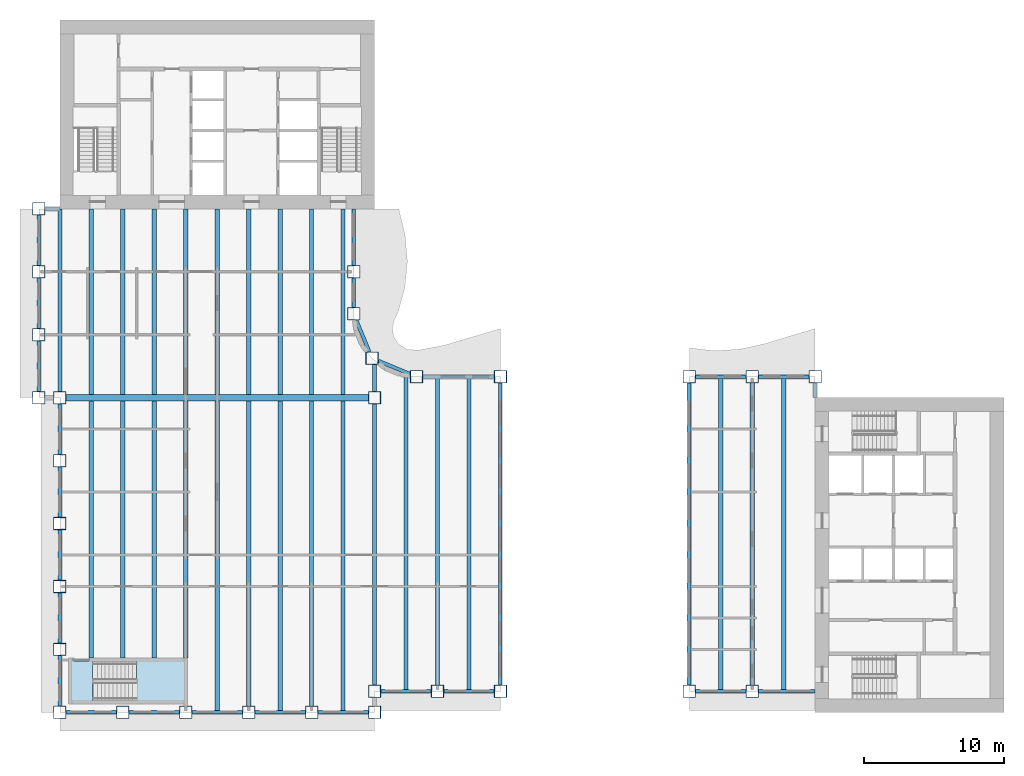
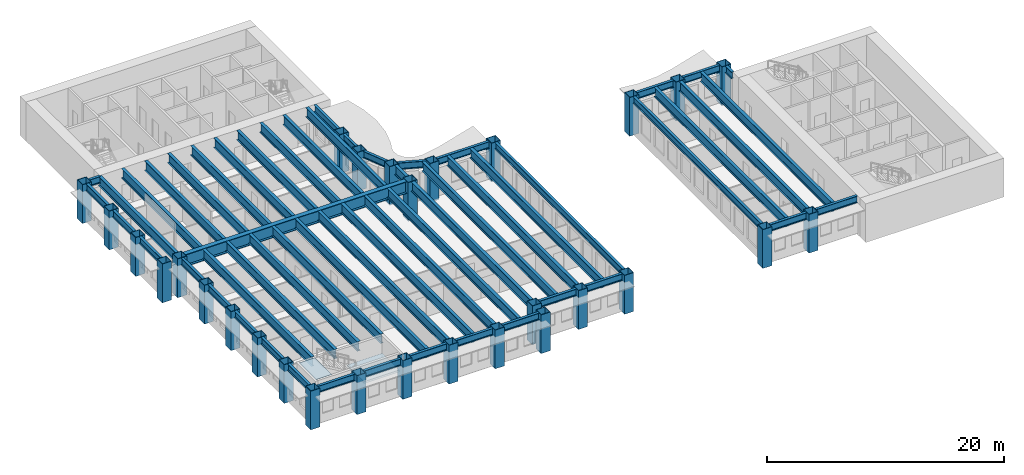
# One storey, part 1 of 13: 56 beams, 29 columns, 2 slabs, 1 element without a shape of its own.
"""IFC4 building model written with IfcOpenShell, lengths in metres."""

from ifc_helpers import new_model, si_unit, direction, frame, origin, origin_2d, place, context, subcontext, project, spatial, polyline, hollow_rectangle, i_section, outline, extrude, material, layer, layer_set, material_profile, profile_set, type_object, element, aggregate, save


model = new_model("IFC4")

# Units and contexts
model_context = context("Model", 3, precision=1e-05, world=origin(), true_north=direction((0.0, 1.0)))
body_context = subcontext(model_context, "Body", "Model", "MODEL_VIEW")
ifc_project = project(units=[si_unit("LENGTHUNIT", "METRE"), si_unit("AREAUNIT", "SQUARE_METRE"), si_unit("VOLUMEUNIT", "CUBIC_METRE"), si_unit("PLANEANGLEUNIT", "RADIAN"), si_unit("MASSUNIT", "GRAM", prefix="KILO")], contexts=[model_context])

# Site, building, storey
site_placement = place(None, origin())
site = spatial("IfcSite", under=ifc_project, at=site_placement, CompositionType="ELEMENT")
building_placement = place(site_placement, origin())
building = spatial("IfcBuilding", under=site, at=building_placement, Name="Sennacour Bend Tower", CompositionType="ELEMENT")
storey_placement = place(building_placement, frame((0.0, 0.0, 143.0)))
storey = spatial("IfcBuildingStorey", under=building, at=storey_placement, Name="L32", CompositionType="ELEMENT", Elevation=143.0)

# Columns
ifc_material_1 = material(Name="Steel ASTM A572 Grade 50", Category="steel")
ifc_material_profile_1 = material_profile(ifc_material_1, hollow_rectangle(XDim=0.89990234375, YDim=0.89990234375, WallThickness=0.044921875, at=origin_2d()), Name="Steel ASTM A572 Grade 50", Category="steel")
ifc_profile_set_1 = profile_set([ifc_material_profile_1], Name="Steel ASTM A572 Grade 50")
column_type = type_object("IfcColumnType", Name="Box column 900", PredefinedType="COLUMN", material=ifc_profile_set_1)
for number, where, z_axis, x_axis, name in (
    (1, (-1.5, 22.5, -0.14990234375), (0.0, 0.0, 1.0), (1.0, 0.0, 0.0), "Perimeter column C3 L32-001"),
    (2, (-1.5, 27.0, -0.14990234375), (0.0, 0.0, 1.0), (1.0, 0.0, 0.0), "Perimeter column C3 L32-002"),
    (3, (-1.5, 31.5, -0.14990234375), (0.0, 0.0, 1.0), (1.0, 0.0, 0.0), "Perimeter column C3 L32-003"),
    (4, (-1.5, 36.0, -0.14990234375), (0.0, 0.0, 1.0), (1.0, 0.0, 0.0), "Perimeter column C3 L32-004"),
    (5, (0.0, 0.0, -0.14990234375), (0.0, 0.0, 1.0), (1.0, 0.0, 0.0), "Perimeter column C3 L32-005"),
    (6, (0.0, 4.5, -0.14990234375), (0.0, 0.0, 1.0), (1.0, 0.0, 0.0), "Perimeter column C3 L32-006"),
    (7, (0.0, 9.0, -0.14990234375), (0.0, 0.0, 1.0), (1.0, 0.0, 0.0), "Perimeter column C3 L32-007"),
    (8, (0.0, 13.5, -0.14990234375), (0.0, 0.0, 1.0), (1.0, 0.0, 0.0), "Perimeter column C3 L32-008"),
    (9, (0.0, 18.0, -0.14990234375), (0.0, 0.0, 1.0), (1.0, 0.0, 0.0), "Perimeter column C3 L32-009"),
    (10, (0.0, 22.5, -0.14990234375), (0.0, 0.0, 1.0), (1.0, 0.0, 0.0), "Perimeter column C3 L32-010"),
    (11, (4.5, 0.0, -0.14990234375), (0.0, 0.0, 1.0), (1.0, 0.0, 0.0), "Perimeter column C3 L32-011"),
    (12, (9.0, 0.0, -0.14990234375), (0.0, 0.0, 1.0), (1.0, 0.0, 0.0), "Perimeter column C3 L32-012"),
    (13, (13.5, 0.0, -0.14990234375), (0.0, 0.0, 1.0), (1.0, 0.0, 0.0), "Perimeter column C3 L32-013"),
    (14, (18.0, 0.0, -0.14990234375), (0.0, 0.0, 1.0), (1.0, 0.0, 0.0), "Perimeter column C3 L32-014"),
    (15, (21.0, 28.5, -0.14990234375), (0.0, 0.0, 1.0), (1.0, 0.0, 0.0), "Perimeter column C3 L32-015"),
    (16, (21.0, 31.5, -0.14990234375), (0.0, 0.0, 1.0), (1.0, 0.0, 0.0), "Perimeter column C3 L32-016"),
    (17, (22.318115234375, 25.318115234375, -0.14990234375), (0.0, 0.0, 1.0), (1.0, 0.0, 0.0), "Perimeter column C3 L32-017"),
    (18, (22.5, 0.0, -0.14990234375), (0.0, 0.0, 1.0), (1.0, 0.0, 0.0), "Perimeter column C3 L32-018"),
    (19, (22.5, 1.5, -0.14990234375), (0.0, 0.0, 1.0), (1.0, 0.0, 0.0), "Perimeter column C3 L32-019"),
    (20, (22.5, 22.5, -0.14990234375), (0.0, 0.0, 1.0), (1.0, 0.0, 0.0), "Knuckle column C3 L32-020"),
    (21, (25.5, 24.0, -0.14990234375), (0.0, 0.0, 1.0), (1.0, 0.0, 0.0), "Perimeter column C3 L32-021"),
    (22, (27.0, 1.5, -0.14990234375), (0.0, 0.0, 1.0), (1.0, 0.0, 0.0), "Perimeter column C3 L32-022"),
    (23, (31.5, 1.5, -0.14990234375), (0.0, 0.0, 1.0), (1.0, 0.0, 0.0), "Perimeter column C3 L32-023"),
    (24, (31.5, 24.0, -0.14990234375), (0.0, 0.0, 1.0), (1.0, 0.0, 0.0), "Perimeter column C3 L32-024"),
    (25, (45.0, 1.5, -0.14990234375), (0.0, 0.0, 1.0), (1.0, 0.0, 0.0), "Perimeter column C3 L32-025"),
    (26, (45.0, 24.0, -0.14990234375), (0.0, 0.0, 1.0), (1.0, 0.0, 0.0), "Perimeter column C3 L32-026"),
    (27, (49.5, 1.5, -0.14990234375), (0.0, 0.0, 1.0), (1.0, 0.0, 0.0), "Perimeter column C3 L32-027"),
    (28, (49.5, 24.0, -0.14990234375), (0.0, 0.0, 1.0), (1.0, 0.0, 0.0), "Perimeter column C3 L32-028"),
    (29, (54.0, 24.0, -0.14990234375), (0.0, 0.0, 1.0), (1.0, 0.0, 0.0), "Perimeter column C3 L32-029"),
):
    element("IfcColumn", number, at=place(storey_placement, frame(where, z_axis=z_axis, x_axis=x_axis)), inside=storey, type_object=column_type, Name=name, PredefinedType="COLUMN", context=body_context, shape_type="SweptSolid", body=[
        extrude(hollow_rectangle(XDim=0.89990234375, YDim=0.89990234375, WallThickness=0.044921875, at=origin_2d()), origin(), (0.0, 0.0, 1.0), 4.0),
    ])

# Beams
ifc_material_2 = material(Name="Steel ASTM A992 Grade 50", Category="steel")
ifc_material_profile_2 = material_profile(ifc_material_2, i_section(OverallWidth=0.300048828125, OverallDepth=0.97998046875, WebThickness=0.0166015625, FlangeThickness=0.026123046875, FilletRadius=0.02978515625, at=origin_2d()), Name="Steel ASTM A992 Grade 50", Category="steel")
ifc_profile_set_2 = profile_set([ifc_material_profile_2], Name="Steel ASTM A992 Grade 50")
beam_type_1 = type_object("IfcBeamType", Name="Floor beam W1000X249", PredefinedType="BEAM", material=ifc_profile_set_2)
beam_1_placement = place(storey_placement, frame((0.0, 22.949951171875, 3.360107421875), z_axis=(0.0, 1.0, 0.0), x_axis=(-1.0, 0.0, 0.0)))
element("IfcBeam", 30, at=beam_1_placement, inside=storey, type_object=beam_type_1, Name="Floor beam FBM2 L33-001", PredefinedType="BEAM", context=body_context, shape_type="SweptSolid", body=[
    extrude(i_section(OverallWidth=0.300048828125, OverallDepth=0.97998046875, WebThickness=0.0166015625, FlangeThickness=0.026123046875, FilletRadius=0.02978515625, at=origin_2d()), origin(), (0.0, 0.0, 1.0), 13.050048828125),
])
beam_2_placement = place(storey_placement, frame((2.25, 3.875, 3.360107421875), z_axis=(0.0, 1.0, 0.0), x_axis=(-1.0, 0.0, 0.0)))
element("IfcBeam", 31, at=beam_2_placement, inside=storey, type_object=beam_type_1, Name="Floor beam FBM2 L33-002", PredefinedType="BEAM", context=body_context, shape_type="SweptSolid", body=[
    extrude(i_section(OverallWidth=0.300048828125, OverallDepth=0.97998046875, WebThickness=0.0166015625, FlangeThickness=0.026123046875, FilletRadius=0.02978515625, at=origin_2d()), origin(), (0.0, 0.0, 1.0), 18.39990234375),
])
beam_3_placement = place(storey_placement, frame((2.25, 22.72509765625, 3.360107421875), z_axis=(0.0, 1.0, 0.0), x_axis=(-1.0, 0.0, 0.0)))
element("IfcBeam", 32, at=beam_3_placement, inside=storey, type_object=beam_type_1, Name="Floor beam FBM2 L33-003", PredefinedType="BEAM", context=body_context, shape_type="SweptSolid", body=[
    extrude(i_section(OverallWidth=0.300048828125, OverallDepth=0.97998046875, WebThickness=0.0166015625, FlangeThickness=0.026123046875, FilletRadius=0.02978515625, at=origin_2d()), origin(), (0.0, 0.0, 1.0), 13.27490234375),
])
beam_4_placement = place(storey_placement, frame((4.5, 3.875, 3.360107421875), z_axis=(0.0, 1.0, 0.0), x_axis=(-1.0, 0.0, 0.0)))
element("IfcBeam", 33, at=beam_4_placement, inside=storey, type_object=beam_type_1, Name="Floor beam FBM2 L33-004", PredefinedType="BEAM", context=body_context, shape_type="SweptSolid", body=[
    extrude(i_section(OverallWidth=0.300048828125, OverallDepth=0.97998046875, WebThickness=0.0166015625, FlangeThickness=0.026123046875, FilletRadius=0.02978515625, at=origin_2d()), origin(), (0.0, 0.0, 1.0), 18.39990234375),
])
beam_5_placement = place(storey_placement, frame((4.5, 22.72509765625, 3.360107421875), z_axis=(0.0, 1.0, 0.0), x_axis=(-1.0, 0.0, 0.0)))
element("IfcBeam", 34, at=beam_5_placement, inside=storey, type_object=beam_type_1, Name="Floor beam FBM2 L33-005", PredefinedType="BEAM", context=body_context, shape_type="SweptSolid", body=[
    extrude(i_section(OverallWidth=0.300048828125, OverallDepth=0.97998046875, WebThickness=0.0166015625, FlangeThickness=0.026123046875, FilletRadius=0.02978515625, at=origin_2d()), origin(), (0.0, 0.0, 1.0), 13.27490234375),
])
beam_6_placement = place(storey_placement, frame((6.75, 3.875, 3.360107421875), z_axis=(0.0, 1.0, 0.0), x_axis=(-1.0, 0.0, 0.0)))
element("IfcBeam", 35, at=beam_6_placement, inside=storey, type_object=beam_type_1, Name="Floor beam FBM2 L33-006", PredefinedType="BEAM", context=body_context, shape_type="SweptSolid", body=[
    extrude(i_section(OverallWidth=0.300048828125, OverallDepth=0.97998046875, WebThickness=0.0166015625, FlangeThickness=0.026123046875, FilletRadius=0.02978515625, at=origin_2d()), origin(), (0.0, 0.0, 1.0), 18.39990234375),
])
beam_7_placement = place(storey_placement, frame((6.75, 22.72509765625, 3.360107421875), z_axis=(0.0, 1.0, 0.0), x_axis=(-1.0, 0.0, 0.0)))
element("IfcBeam", 36, at=beam_7_placement, inside=storey, type_object=beam_type_1, Name="Floor beam FBM2 L33-007", PredefinedType="BEAM", context=body_context, shape_type="SweptSolid", body=[
    extrude(i_section(OverallWidth=0.300048828125, OverallDepth=0.97998046875, WebThickness=0.0166015625, FlangeThickness=0.026123046875, FilletRadius=0.02978515625, at=origin_2d()), origin(), (0.0, 0.0, 1.0), 13.27490234375),
])
beam_8_placement = place(storey_placement, frame((9.0, 3.875, 3.360107421875), z_axis=(0.0, 1.0, 0.0), x_axis=(-1.0, 0.0, 0.0)))
element("IfcBeam", 37, at=beam_8_placement, inside=storey, type_object=beam_type_1, Name="Floor beam FBM2 L33-008", PredefinedType="BEAM", context=body_context, shape_type="SweptSolid", body=[
    extrude(i_section(OverallWidth=0.300048828125, OverallDepth=0.97998046875, WebThickness=0.0166015625, FlangeThickness=0.026123046875, FilletRadius=0.02978515625, at=origin_2d()), origin(), (0.0, 0.0, 1.0), 18.39990234375),
])
beam_9_placement = place(storey_placement, frame((9.0, 22.72509765625, 3.360107421875), z_axis=(0.0, 1.0, 0.0), x_axis=(-1.0, 0.0, 0.0)))
element("IfcBeam", 38, at=beam_9_placement, inside=storey, type_object=beam_type_1, Name="Floor beam FBM2 L33-009", PredefinedType="BEAM", context=body_context, shape_type="SweptSolid", body=[
    extrude(i_section(OverallWidth=0.300048828125, OverallDepth=0.97998046875, WebThickness=0.0166015625, FlangeThickness=0.026123046875, FilletRadius=0.02978515625, at=origin_2d()), origin(), (0.0, 0.0, 1.0), 13.27490234375),
])
beam_10_placement = place(storey_placement, frame((11.25, 0.126953125, 3.360107421875), z_axis=(0.0, 1.0, 0.0), x_axis=(-1.0, 0.0, 0.0)))
element("IfcBeam", 39, at=beam_10_placement, inside=storey, type_object=beam_type_1, Name="Floor beam FBM2 L33-010", PredefinedType="BEAM", context=body_context, shape_type="SweptSolid", body=[
    extrude(i_section(OverallWidth=0.300048828125, OverallDepth=0.97998046875, WebThickness=0.0166015625, FlangeThickness=0.026123046875, FilletRadius=0.02978515625, at=origin_2d()), origin(), (0.0, 0.0, 1.0), 22.14794921875),
])
beam_11_placement = place(storey_placement, frame((11.25, 22.72509765625, 3.360107421875), z_axis=(0.0, 1.0, 0.0), x_axis=(-1.0, 0.0, 0.0)))
element("IfcBeam", 40, at=beam_11_placement, inside=storey, type_object=beam_type_1, Name="Floor beam FBM2 L33-011", PredefinedType="BEAM", context=body_context, shape_type="SweptSolid", body=[
    extrude(i_section(OverallWidth=0.300048828125, OverallDepth=0.97998046875, WebThickness=0.0166015625, FlangeThickness=0.026123046875, FilletRadius=0.02978515625, at=origin_2d()), origin(), (0.0, 0.0, 1.0), 13.27490234375),
])
beam_12_placement = place(storey_placement, frame((13.5, 0.449951171875, 3.360107421875), z_axis=(0.0, 1.0, 0.0), x_axis=(-1.0, 0.0, 0.0)))
element("IfcBeam", 41, at=beam_12_placement, inside=storey, type_object=beam_type_1, Name="Floor beam FBM2 L33-012", PredefinedType="BEAM", context=body_context, shape_type="SweptSolid", body=[
    extrude(i_section(OverallWidth=0.300048828125, OverallDepth=0.97998046875, WebThickness=0.0166015625, FlangeThickness=0.026123046875, FilletRadius=0.02978515625, at=origin_2d()), origin(), (0.0, 0.0, 1.0), 21.824951171875),
])
beam_13_placement = place(storey_placement, frame((13.5, 22.72509765625, 3.360107421875), z_axis=(0.0, 1.0, 0.0), x_axis=(-1.0, 0.0, 0.0)))
element("IfcBeam", 42, at=beam_13_placement, inside=storey, type_object=beam_type_1, Name="Floor beam FBM2 L33-013", PredefinedType="BEAM", context=body_context, shape_type="SweptSolid", body=[
    extrude(i_section(OverallWidth=0.300048828125, OverallDepth=0.97998046875, WebThickness=0.0166015625, FlangeThickness=0.026123046875, FilletRadius=0.02978515625, at=origin_2d()), origin(), (0.0, 0.0, 1.0), 13.27490234375),
])
beam_14_placement = place(storey_placement, frame((15.75, 0.126953125, 3.360107421875), z_axis=(0.0, 1.0, 0.0), x_axis=(-1.0, 0.0, 0.0)))
element("IfcBeam", 43, at=beam_14_placement, inside=storey, type_object=beam_type_1, Name="Floor beam FBM2 L33-014", PredefinedType="BEAM", context=body_context, shape_type="SweptSolid", body=[
    extrude(i_section(OverallWidth=0.300048828125, OverallDepth=0.97998046875, WebThickness=0.0166015625, FlangeThickness=0.026123046875, FilletRadius=0.02978515625, at=origin_2d()), origin(), (0.0, 0.0, 1.0), 22.14794921875),
])
beam_15_placement = place(storey_placement, frame((15.75, 22.72509765625, 3.360107421875), z_axis=(0.0, 1.0, 0.0), x_axis=(-1.0, 0.0, 0.0)))
element("IfcBeam", 44, at=beam_15_placement, inside=storey, type_object=beam_type_1, Name="Floor beam FBM2 L33-015", PredefinedType="BEAM", context=body_context, shape_type="SweptSolid", body=[
    extrude(i_section(OverallWidth=0.300048828125, OverallDepth=0.97998046875, WebThickness=0.0166015625, FlangeThickness=0.026123046875, FilletRadius=0.02978515625, at=origin_2d()), origin(), (0.0, 0.0, 1.0), 13.27490234375),
])
beam_16_placement = place(storey_placement, frame((18.0, 0.449951171875, 3.360107421875), z_axis=(0.0, 1.0, 0.0), x_axis=(-1.0, 0.0, 0.0)))
element("IfcBeam", 45, at=beam_16_placement, inside=storey, type_object=beam_type_1, Name="Floor beam FBM2 L33-016", PredefinedType="BEAM", context=body_context, shape_type="SweptSolid", body=[
    extrude(i_section(OverallWidth=0.300048828125, OverallDepth=0.97998046875, WebThickness=0.0166015625, FlangeThickness=0.026123046875, FilletRadius=0.02978515625, at=origin_2d()), origin(), (0.0, 0.0, 1.0), 21.824951171875),
])
beam_17_placement = place(storey_placement, frame((18.0, 22.72509765625, 3.360107421875), z_axis=(0.0, 1.0, 0.0), x_axis=(-1.0, 0.0, 0.0)))
element("IfcBeam", 46, at=beam_17_placement, inside=storey, type_object=beam_type_1, Name="Floor beam FBM2 L33-017", PredefinedType="BEAM", context=body_context, shape_type="SweptSolid", body=[
    extrude(i_section(OverallWidth=0.300048828125, OverallDepth=0.97998046875, WebThickness=0.0166015625, FlangeThickness=0.026123046875, FilletRadius=0.02978515625, at=origin_2d()), origin(), (0.0, 0.0, 1.0), 13.27490234375),
])
beam_18_placement = place(storey_placement, frame((20.25, 0.126953125, 3.360107421875), z_axis=(0.0, 1.0, 0.0), x_axis=(-1.0, 0.0, 0.0)))
element("IfcBeam", 47, at=beam_18_placement, inside=storey, type_object=beam_type_1, Name="Floor beam FBM2 L33-018", PredefinedType="BEAM", context=body_context, shape_type="SweptSolid", body=[
    extrude(i_section(OverallWidth=0.300048828125, OverallDepth=0.97998046875, WebThickness=0.0166015625, FlangeThickness=0.026123046875, FilletRadius=0.02978515625, at=origin_2d()), origin(), (0.0, 0.0, 1.0), 22.14794921875),
])
beam_19_placement = place(storey_placement, frame((20.25, 22.72509765625, 3.360107421875), z_axis=(0.0, 1.0, 0.0), x_axis=(-1.0, 0.0, 0.0)))
element("IfcBeam", 48, at=beam_19_placement, inside=storey, type_object=beam_type_1, Name="Floor beam FBM2 L33-019", PredefinedType="BEAM", context=body_context, shape_type="SweptSolid", body=[
    extrude(i_section(OverallWidth=0.300048828125, OverallDepth=0.97998046875, WebThickness=0.0166015625, FlangeThickness=0.026123046875, FilletRadius=0.02978515625, at=origin_2d()), origin(), (0.0, 0.0, 1.0), 13.27490234375),
])
beam_20_placement = place(storey_placement, frame((22.5, 1.949951171875, 3.360107421875), z_axis=(0.0, 1.0, 0.0), x_axis=(-1.0, 0.0, 0.0)))
element("IfcBeam", 49, at=beam_20_placement, inside=storey, type_object=beam_type_1, Name="Floor beam FBM2 L33-020", PredefinedType="BEAM", context=body_context, shape_type="SweptSolid", body=[
    extrude(i_section(OverallWidth=0.300048828125, OverallDepth=0.97998046875, WebThickness=0.0166015625, FlangeThickness=0.026123046875, FilletRadius=0.02978515625, at=origin_2d()), origin(), (0.0, 0.0, 1.0), 20.10009765625),
])
beam_21_placement = place(storey_placement, frame((22.5, 22.949951171875, 3.360107421875), z_axis=(0.0, 1.0, 0.0), x_axis=(-1.0, 0.0, 0.0)))
element("IfcBeam", 50, at=beam_21_placement, inside=storey, type_object=beam_type_1, Name="Floor beam FBM2 L33-021", PredefinedType="BEAM", context=body_context, shape_type="SweptSolid", body=[
    extrude(i_section(OverallWidth=0.300048828125, OverallDepth=0.97998046875, WebThickness=0.0166015625, FlangeThickness=0.026123046875, FilletRadius=0.02978515625, at=origin_2d()), origin(), (0.0, 0.0, 1.0), 1.91796875),
])
beam_22_placement = place(storey_placement, frame((24.75, 1.626953125, 3.360107421875), z_axis=(0.0, 1.0, 0.0), x_axis=(-1.0, 0.0, 0.0)))
element("IfcBeam", 51, at=beam_22_placement, inside=storey, type_object=beam_type_1, Name="Floor beam FBM2 L33-022", PredefinedType="BEAM", context=body_context, shape_type="SweptSolid", body=[
    extrude(i_section(OverallWidth=0.300048828125, OverallDepth=0.97998046875, WebThickness=0.0166015625, FlangeThickness=0.026123046875, FilletRadius=0.02978515625, at=origin_2d()), origin(), (0.0, 0.0, 1.0), 22.546142578125),
])
beam_23_placement = place(storey_placement, frame((27.0, 1.949951171875, 3.360107421875), z_axis=(0.0, 1.0, 0.0), x_axis=(-1.0, 0.0, 0.0)))
element("IfcBeam", 52, at=beam_23_placement, inside=storey, type_object=beam_type_1, Name="Floor beam FBM2 L33-023", PredefinedType="BEAM", context=body_context, shape_type="SweptSolid", body=[
    extrude(i_section(OverallWidth=0.300048828125, OverallDepth=0.97998046875, WebThickness=0.0166015625, FlangeThickness=0.026123046875, FilletRadius=0.02978515625, at=origin_2d()), origin(), (0.0, 0.0, 1.0), 21.923095703125),
])
for number, where, z_axis, x_axis, name in (
    (53, (29.25, 1.626953125, 3.360107421875), (0.0, 1.0, 0.0), (-1.0, 0.0, 0.0), "Floor beam FBM2 L33-024"),
    (54, (47.25, 1.626953125, 3.360107421875), (0.0, 1.0, 0.0), (-1.0, 0.0, 0.0), "Floor beam FBM2 L33-025"),
):
    element("IfcBeam", number, at=place(storey_placement, frame(where, z_axis=z_axis, x_axis=x_axis)), inside=storey, type_object=beam_type_1, Name=name, PredefinedType="BEAM", context=body_context, shape_type="SweptSolid", body=[
        extrude(i_section(OverallWidth=0.300048828125, OverallDepth=0.97998046875, WebThickness=0.0166015625, FlangeThickness=0.026123046875, FilletRadius=0.02978515625, at=origin_2d()), origin(), (0.0, 0.0, 1.0), 22.24609375),
    ])
beam_24_placement = place(storey_placement, frame((49.5, 1.949951171875, 3.360107421875), z_axis=(0.0, 1.0, 0.0), x_axis=(-1.0, 0.0, 0.0)))
element("IfcBeam", 55, at=beam_24_placement, inside=storey, type_object=beam_type_1, Name="Floor beam FBM2 L33-026", PredefinedType="BEAM", context=body_context, shape_type="SweptSolid", body=[
    extrude(i_section(OverallWidth=0.300048828125, OverallDepth=0.97998046875, WebThickness=0.0166015625, FlangeThickness=0.026123046875, FilletRadius=0.02978515625, at=origin_2d()), origin(), (0.0, 0.0, 1.0), 21.60009765625),
])
beam_25_placement = place(storey_placement, frame((51.75, 1.626953125, 3.360107421875), z_axis=(0.0, 1.0, 0.0), x_axis=(-1.0, 0.0, 0.0)))
element("IfcBeam", 56, at=beam_25_placement, inside=storey, type_object=beam_type_1, Name="Floor beam FBM2 L33-027", PredefinedType="BEAM", context=body_context, shape_type="SweptSolid", body=[
    extrude(i_section(OverallWidth=0.300048828125, OverallDepth=0.97998046875, WebThickness=0.0166015625, FlangeThickness=0.026123046875, FilletRadius=0.02978515625, at=origin_2d()), origin(), (0.0, 0.0, 1.0), 22.24609375),
])
ifc_material_profile_3 = material_profile(ifc_material_1, i_section(OverallWidth=0.449951171875, OverallDepth=1.25, WebThickness=0.028076171875, FlangeThickness=0.050048828125, at=origin_2d()), Name="Steel ASTM A572 Grade 50", Category="steel")
ifc_profile_set_3 = profile_set([ifc_material_profile_3], Name="Steel ASTM A572 Grade 50")
beam_type_2 = type_object("IfcBeamType", Name="Knuckle girder 1250", PredefinedType="USERDEFINED", material=ifc_profile_set_3)
beam_26_placement = place(storey_placement, frame((0.449951171875, 22.5, 3.22509765625), z_axis=(1.0, 0.0, 0.0), x_axis=(0.0, 1.0, 0.0)))
element("IfcBeam", 57, at=beam_26_placement, inside=storey, type_object=beam_type_2, Name="Knuckle girder GK L33-001", ObjectType="KNUCKLE GIRDER", PredefinedType="USERDEFINED", context=body_context, shape_type="SweptSolid", body=[
    extrude(i_section(OverallWidth=0.449951171875, OverallDepth=1.25, WebThickness=0.028076171875, FlangeThickness=0.050048828125, at=origin_2d()), origin(), (0.0, 0.0, 1.0), 21.60009765625),
])
ifc_material_profile_4 = material_profile(ifc_material_2, i_section(OverallWidth=0.25390625, OverallDepth=0.700927734375, WebThickness=0.015380859375, FlangeThickness=0.02783203125, FilletRadius=0.015380859375, at=origin_2d()), Name="Steel ASTM A992 Grade 50", Category="steel")
ifc_profile_set_4 = profile_set([ifc_material_profile_4], Name="Steel ASTM A992 Grade 50")
beam_type_3 = type_object("IfcBeamType", Name="Spandrel beam W690X192", PredefinedType="SPANDREL", material=ifc_profile_set_4)
beam_27_placement = place(storey_placement, frame((45.0, 1.949951171875, 3.49951171875), z_axis=(0.0, 1.0, 0.0), x_axis=(-1.0, 0.0, 0.0)))
element("IfcBeam", 58, at=beam_27_placement, inside=storey, type_object=beam_type_3, Name="Spandrel beam SP4 L33-001", PredefinedType="SPANDREL", context=body_context, shape_type="SweptSolid", body=[
    extrude(i_section(OverallWidth=0.25390625, OverallDepth=0.700927734375, WebThickness=0.015380859375, FlangeThickness=0.02783203125, FilletRadius=0.015380859375, at=origin_2d()), origin(), (0.0, 0.0, 1.0), 21.60009765625),
])
for number, where, z_axis, x_axis, name in (
    (59, (45.449951171875, 24.0, 3.49951171875), (1.0, 0.0, 0.0), (0.0, 1.0, 0.0), "Spandrel beam SP4 L33-002"),
    (60, (49.949951171875, 24.0, 3.49951171875), (1.0, 0.0, 0.0), (0.0, 1.0, 0.0), "Spandrel beam SP4 L33-003"),
):
    element("IfcBeam", number, at=place(storey_placement, frame(where, z_axis=z_axis, x_axis=x_axis)), inside=storey, type_object=beam_type_3, Name=name, PredefinedType="SPANDREL", context=body_context, shape_type="SweptSolid", body=[
        extrude(i_section(OverallWidth=0.25390625, OverallDepth=0.700927734375, WebThickness=0.015380859375, FlangeThickness=0.02783203125, FilletRadius=0.015380859375, at=origin_2d()), origin(), (0.0, 0.0, 1.0), 3.60009765625),
    ])
beam_28_placement = place(storey_placement, frame((54.0, 23.550048828125, 3.49951171875), z_axis=(0.0, -1.0, 0.0), x_axis=(1.0, 0.0, 0.0)))
element("IfcBeam", 61, at=beam_28_placement, inside=storey, type_object=beam_type_3, Name="Spandrel beam SP4 L33-004", PredefinedType="SPANDREL", context=body_context, shape_type="SweptSolid", body=[
    extrude(i_section(OverallWidth=0.25390625, OverallDepth=0.700927734375, WebThickness=0.015380859375, FlangeThickness=0.02783203125, FilletRadius=0.015380859375, at=origin_2d()), origin(), (0.0, 0.0, 1.0), 1.050048828125),
])
beam_29_placement = place(storey_placement, frame((54.0, 1.5, 3.49951171875), z_axis=(-1.0, 0.0, 0.0), x_axis=(0.0, -1.0, 0.0)))
element("IfcBeam", 62, at=beam_29_placement, inside=storey, type_object=beam_type_3, Name="Spandrel beam SP4 L33-005", PredefinedType="SPANDREL", context=body_context, shape_type="SweptSolid", body=[
    extrude(i_section(OverallWidth=0.25390625, OverallDepth=0.700927734375, WebThickness=0.015380859375, FlangeThickness=0.02783203125, FilletRadius=0.015380859375, at=origin_2d()), origin(), (0.0, 0.0, 1.0), 4.050048828125),
])
beam_30_placement = place(storey_placement, frame((49.050048828125, 1.5, 3.49951171875), z_axis=(-1.0, 0.0, 0.0), x_axis=(0.0, -1.0, 0.0)))
element("IfcBeam", 63, at=beam_30_placement, inside=storey, type_object=beam_type_3, Name="Spandrel beam SP4 L33-006", PredefinedType="SPANDREL", context=body_context, shape_type="SweptSolid", body=[
    extrude(i_section(OverallWidth=0.25390625, OverallDepth=0.700927734375, WebThickness=0.015380859375, FlangeThickness=0.02783203125, FilletRadius=0.015380859375, at=origin_2d()), origin(), (0.0, 0.0, 1.0), 3.60009765625),
])
beam_31_placement = place(storey_placement, frame((31.5, 23.550048828125, 3.49951171875), z_axis=(0.0, -1.0, 0.0), x_axis=(1.0, 0.0, 0.0)))
element("IfcBeam", 64, at=beam_31_placement, inside=storey, type_object=beam_type_3, Name="Spandrel beam SP4 L33-007", PredefinedType="SPANDREL", context=body_context, shape_type="SweptSolid", body=[
    extrude(i_section(OverallWidth=0.25390625, OverallDepth=0.700927734375, WebThickness=0.015380859375, FlangeThickness=0.02783203125, FilletRadius=0.015380859375, at=origin_2d()), origin(), (0.0, 0.0, 1.0), 21.60009765625),
])
for number, where, z_axis, x_axis, name in (
    (65, (31.050048828125, 1.5, 3.49951171875), (-1.0, 0.0, 0.0), (0.0, -1.0, 0.0), "Spandrel beam SP4 L33-008"),
    (66, (26.550048828125, 1.5, 3.49951171875), (-1.0, 0.0, 0.0), (0.0, -1.0, 0.0), "Spandrel beam SP4 L33-009"),
    (67, (22.050048828125, 0.0, 3.49951171875), (-1.0, 0.0, 0.0), (0.0, -1.0, 0.0), "Spandrel beam SP4 L33-010"),
    (68, (17.550048828125, 0.0, 3.49951171875), (-1.0, 0.0, 0.0), (0.0, -1.0, 0.0), "Spandrel beam SP4 L33-011"),
    (69, (13.050048828125, 0.0, 3.49951171875), (-1.0, 0.0, 0.0), (0.0, -1.0, 0.0), "Spandrel beam SP4 L33-012"),
    (70, (8.550048828125, 0.0, 3.49951171875), (-1.0, 0.0, 0.0), (0.0, -1.0, 0.0), "Spandrel beam SP4 L33-013"),
    (71, (4.050048828125, 0.0, 3.49951171875), (-1.0, 0.0, 0.0), (0.0, -1.0, 0.0), "Spandrel beam SP4 L33-014"),
    (72, (0.0, 0.449951171875, 3.49951171875), (0.0, 1.0, 0.0), (-1.0, 0.0, 0.0), "Spandrel beam SP4 L33-015"),
    (73, (0.0, 4.949951171875, 3.49951171875), (0.0, 1.0, 0.0), (-1.0, 0.0, 0.0), "Spandrel beam SP4 L33-016"),
    (74, (0.0, 9.449951171875, 3.49951171875), (0.0, 1.0, 0.0), (-1.0, 0.0, 0.0), "Spandrel beam SP4 L33-017"),
    (75, (0.0, 13.949951171875, 3.49951171875), (0.0, 1.0, 0.0), (-1.0, 0.0, 0.0), "Spandrel beam SP4 L33-018"),
    (76, (0.0, 18.449951171875, 3.49951171875), (0.0, 1.0, 0.0), (-1.0, 0.0, 0.0), "Spandrel beam SP4 L33-019"),
    (77, (-1.5, 22.949951171875, 3.49951171875), (0.0, 1.0, 0.0), (-1.0, 0.0, 0.0), "Spandrel beam SP4 L33-020"),
    (78, (-1.5, 27.449951171875, 3.49951171875), (0.0, 1.0, 0.0), (-1.0, 0.0, 0.0), "Spandrel beam SP4 L33-021"),
    (79, (-1.5, 31.949951171875, 3.49951171875), (0.0, 1.0, 0.0), (-1.0, 0.0, 0.0), "Spandrel beam SP4 L33-022"),
):
    element("IfcBeam", number, at=place(storey_placement, frame(where, z_axis=z_axis, x_axis=x_axis)), inside=storey, type_object=beam_type_3, Name=name, PredefinedType="SPANDREL", context=body_context, shape_type="SweptSolid", body=[
        extrude(i_section(OverallWidth=0.25390625, OverallDepth=0.700927734375, WebThickness=0.015380859375, FlangeThickness=0.02783203125, FilletRadius=0.015380859375, at=origin_2d()), origin(), (0.0, 0.0, 1.0), 3.60009765625),
    ])
beam_32_placement = place(storey_placement, frame((-1.050048828125, 36.0, 3.49951171875), z_axis=(1.0, 0.0, 0.0), x_axis=(0.0, 1.0, 0.0)))
element("IfcBeam", 80, at=beam_32_placement, inside=storey, type_object=beam_type_3, Name="Spandrel beam SP4 L33-023", PredefinedType="SPANDREL", context=body_context, shape_type="SweptSolid", body=[
    extrude(i_section(OverallWidth=0.25390625, OverallDepth=0.700927734375, WebThickness=0.015380859375, FlangeThickness=0.02783203125, FilletRadius=0.015380859375, at=origin_2d()), origin(), (0.0, 0.0, 1.0), 1.050048828125),
])
beam_33_placement = place(storey_placement, frame((21.0, 36.0, 3.49951171875), z_axis=(0.0, -1.0, 0.0), x_axis=(1.0, 0.0, 0.0)))
element("IfcBeam", 81, at=beam_33_placement, inside=storey, type_object=beam_type_3, Name="Spandrel beam SP4 L33-024", PredefinedType="SPANDREL", context=body_context, shape_type="SweptSolid", body=[
    extrude(i_section(OverallWidth=0.25390625, OverallDepth=0.700927734375, WebThickness=0.015380859375, FlangeThickness=0.02783203125, FilletRadius=0.015380859375, at=origin_2d()), origin(), (0.0, 0.0, 1.0), 4.050048828125),
])
beam_34_placement = place(storey_placement, frame((21.0, 31.050048828125, 3.49951171875), z_axis=(0.0, -1.0, 0.0), x_axis=(1.0, 0.0, 0.0)))
element("IfcBeam", 82, at=beam_34_placement, inside=storey, type_object=beam_type_3, Name="Spandrel beam SP4 L33-025", PredefinedType="SPANDREL", context=body_context, shape_type="SweptSolid", body=[
    extrude(i_section(OverallWidth=0.25390625, OverallDepth=0.700927734375, WebThickness=0.015380859375, FlangeThickness=0.02783203125, FilletRadius=0.015380859375, at=origin_2d()), origin(), (0.0, 0.0, 1.0), 2.10009765625),
])
for number, where, z_axis, x_axis, name in (
    (83, (21.186279296875, 28.050048828125, 3.49951171875), (0.382712608723, -0.923867446728, 0.0), (0.923867446728, 0.382712608723, 0.0), "Spandrel beam SP4 L33-026"),
    (84, (22.76806640625, 25.131591796875, 3.49951171875), (0.923867446728, -0.382712608723, 0.0), (0.382712608723, 0.923867446728, 0.0), "Spandrel beam SP4 L33-027"),
):
    element("IfcBeam", number, at=place(storey_placement, frame(where, z_axis=z_axis, x_axis=x_axis)), inside=storey, type_object=beam_type_3, Name=name, PredefinedType="SPANDREL", context=body_context, shape_type="SweptSolid", body=[
        extrude(i_section(OverallWidth=0.25390625, OverallDepth=0.700927734375, WebThickness=0.015380859375, FlangeThickness=0.02783203125, FilletRadius=0.015380859375, at=origin_2d()), origin(), (0.0, 0.0, 1.0), 2.469970703125),
    ])
beam_35_placement = place(storey_placement, frame((25.949951171875, 24.0, 3.49951171875), z_axis=(1.0, 0.0, 0.0), x_axis=(0.0, 1.0, 0.0)))
element("IfcBeam", 85, at=beam_35_placement, inside=storey, type_object=beam_type_3, Name="Spandrel beam SP4 L33-028", PredefinedType="SPANDREL", context=body_context, shape_type="SweptSolid", body=[
    extrude(i_section(OverallWidth=0.25390625, OverallDepth=0.700927734375, WebThickness=0.015380859375, FlangeThickness=0.02783203125, FilletRadius=0.015380859375, at=origin_2d()), origin(), (0.0, 0.0, 1.0), 5.10009765625),
])

# Slab
ifc_material_3 = material(Name="Concrete C40/50", Category="concrete")
ifc_layer_1 = layer(ifc_material_3, 0.034912109375, Name="Concrete C40/50", Category="concrete")
ifc_layer_set_1 = layer_set([ifc_layer_1], Name="Concrete C40/50")
slab_type_1 = type_object("IfcSlabType", Name="Stair arrival nib 35", PredefinedType="FLOOR", material=ifc_layer_set_1)
slab_1_placement = place(storey_placement, frame((0.0, 0.0, 3.815185546875)))
element("IfcSlab", 86, at=slab_1_placement, inside=storey, type_object=slab_type_1, Name="L32 SK1 stair arrival nib", PredefinedType="FLOOR", context=body_context, shape_type="SweptSolid", body=[
    extrude(outline(polyline([(2.342041015625, 3.675048828125), (0.800048828125, 3.675048828125), (0.800048828125, 0.800048828125), (2.342041015625, 0.800048828125), (2.342041015625, 3.675048828125)])), origin(), (0.0, 0.0, 1.0), 0.034912109375),
])

# Stair, slab
stair_type = type_object("IfcStairType", Name="ST-DOGLEG", PredefinedType="HALF_TURN_STAIR", material=ifc_material_3)
stair_placement = place(storey_placement, origin())
stair = element("IfcStair", 87, at=stair_placement, inside=storey, type_object=stair_type, Name="L32 Exit stair K1", PredefinedType="HALF_TURN_STAIR")
ifc_layer_2 = layer(ifc_material_3, 0.199951171875, Name="Concrete C40/50", Category="concrete")
ifc_layer_set_2 = layer_set([ifc_layer_2], Name="Concrete C40/50")
slab_type_2 = type_object("IfcSlabType", Name="Stair landing 200", PredefinedType="LANDING", material=ifc_layer_set_2)
slab_2_placement = place(storey_placement, frame((0.0, 0.0, 1.800048828125)))
slab_2 = element("IfcSlab", 88, at=slab_2_placement, type_object=slab_type_2, Name="SK1 landing 1", PredefinedType="LANDING", context=body_context, shape_type="SweptSolid", body=[
    extrude(outline(polyline([(5.47998046875, 0.800048828125), (8.925048828125, 0.800048828125), (8.925048828125, 3.675048828125), (5.47998046875, 3.675048828125), (5.47998046875, 0.800048828125)])), origin(), (0.0, 0.0, 1.0), 0.199951171875),
])
aggregate(stair, [slab_2])

save(model, "model.ifc")
